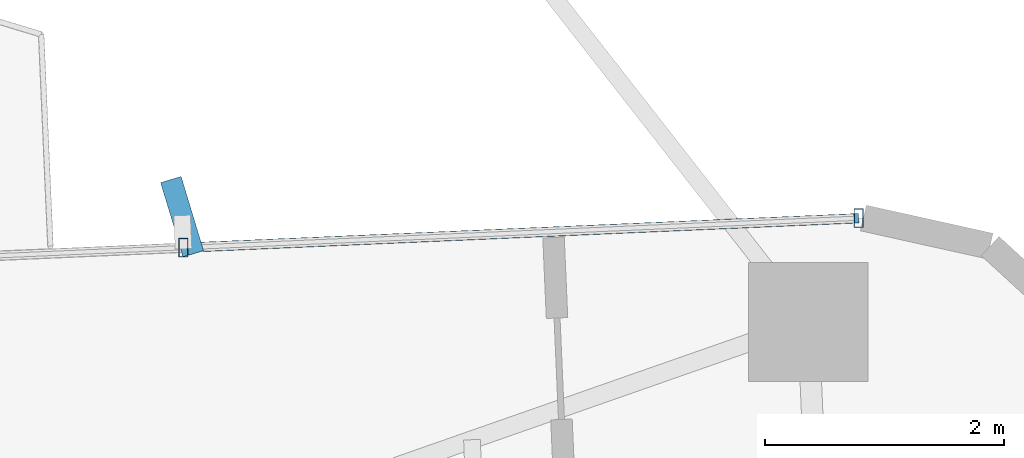
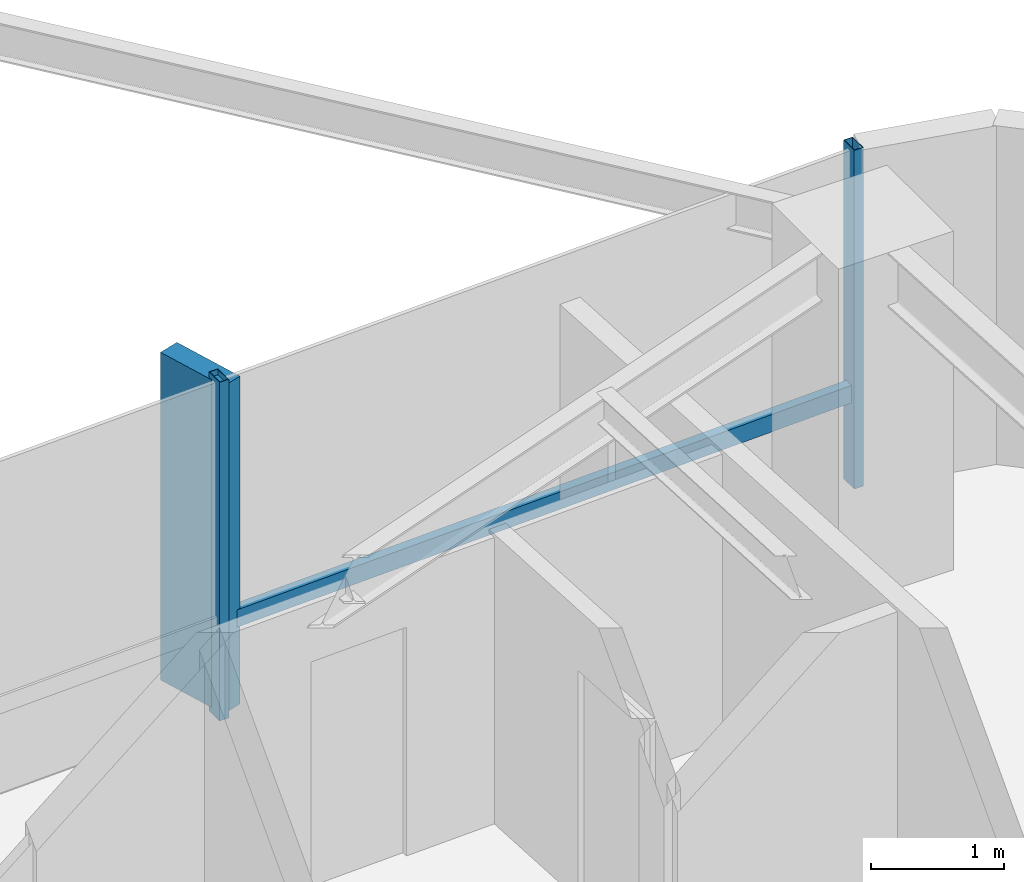
# One storey, part 20 of 26: 4 members, 1 element without a shape of its own.
"""IFC4 building model written with IfcOpenShell, lengths in metres."""

from ifc_helpers import new_model, si_unit, direction, frame, origin, origin_2d, place, context, subcontext, project, spatial, rectangle, hollow_rectangle, extrude, source, transform, mapped, material, material_profile, profile_set, type_object, element, aggregate, save


model = new_model("IFC4")

# Units and contexts
model_context = context("Model", 3, precision=1e-05, world=origin(), true_north=direction((0.0, 1.0)))
body_context = subcontext(model_context, "Body", "Model", "MODEL_VIEW")
ifc_project = project(units=[si_unit("LENGTHUNIT", "METRE"), si_unit("AREAUNIT", "SQUARE_METRE"), si_unit("VOLUMEUNIT", "CUBIC_METRE"), si_unit("PLANEANGLEUNIT", "RADIAN"), si_unit("MASSUNIT", "GRAM", prefix="KILO")], contexts=[model_context])

# Site, building, storey
site_placement = place(None, origin())
site = spatial("IfcSite", under=ifc_project, at=site_placement, CompositionType="ELEMENT")
building_placement = place(site_placement, origin())
building = spatial("IfcBuilding", under=site, at=building_placement, Name="Sahyath Konkavel Grand Hotel", CompositionType="ELEMENT")
storey_placement = place(building_placement, frame((0.0, 0.0, 118.14990234375)))
storey = spatial("IfcBuildingStorey", under=building, at=storey_placement, Name="L32", CompositionType="ELEMENT", Elevation=118.14990234375)

# Curtain wall, members
ifc_material_1 = material(Name="Anodised Bronze Aluminium & Low-E Glazing", Category="aluminium")
curtain_wall_type = type_object("IfcCurtainWallType", Name="CW-ZONE2", PredefinedType="NOTDEFINED", material=ifc_material_1)
curtain_wall_placement = place(storey_placement, origin())
curtain_wall = element("IfcCurtainWall", 1, at=curtain_wall_placement, inside=storey, type_object=curtain_wall_type, Name="L32 Unitised Curtain Wall F7", PredefinedType="NOTDEFINED")
ifc_material_2 = material(Name="Warm Buff Sandstone Cladding on Concrete C50/60", Category="masonry")
ifc_material_profile_1 = material_profile(ifc_material_2, rectangle(XDim=0.179931640625, YDim=0.64990234375, at=origin_2d()), Name="FIN 180x650")
ifc_profile_set_1 = profile_set([ifc_material_profile_1], Name="Warm Buff Sandstone Cladding on Concrete C50/60")
member_type_1 = type_object("IfcMemberType", Name="FIN-SANDSTONE-650", PredefinedType="MULLION", material=ifc_profile_set_1)
shared_shape_1 = source(origin(), body_context, "Body", "SweptSolid", [
    extrude(rectangle(XDim=0.179931640625, YDim=0.64990234375, at=origin_2d()), origin(), (0.0, 0.0, 1.0), 3.010009765625),
])
member_1_placement = place(storey_placement, frame((11.989013671875, 7.39013671875, 0.050048828125), z_axis=(0.0, 0.0, 1.0), x_axis=(0.957117481996, 0.289700061544, 0.0)))
member_1 = element("IfcMember", 2, at=member_1_placement, type_object=member_type_1, Name="L32 Sandstone Vertical Solar Fin FIN F7-1", PredefinedType="MULLION", context=body_context, shape_type="MappedRepresentation", body=[
    mapped(shared_shape_1, transform((0.0, 0.0, 0.0), scale=1.0)),
])
ifc_material_3 = material(Name="Anodised Bronze Aluminium", Category="aluminium")
ifc_material_profile_2 = material_profile(ifc_material_3, hollow_rectangle(XDim=0.080078125, YDim=0.159912109375, WallThickness=0.006103515625, at=origin_2d()), Name="RHS 160x80x6")
ifc_profile_set_2 = profile_set([ifc_material_profile_2], Name="Anodised Bronze Aluminium")
member_type_2 = type_object("IfcMemberType", Name="CW-MUL-160", PredefinedType="MULLION", material=ifc_profile_set_2)
shared_shape_2 = source(origin(), body_context, "Body", "SweptSolid", [
    extrude(hollow_rectangle(XDim=0.080078125, YDim=0.159912109375, WallThickness=0.006103515625, at=origin_2d()), origin(), (0.0, 0.0, 1.0), 3.110107421875),
])
member_2_placement = place(storey_placement, frame((17.655029296875, 7.377197265625, 0.0), z_axis=(0.0, 0.0, 1.0), x_axis=(1.0, 0.0, 0.0)))
member_2 = element("IfcMember", 3, at=member_2_placement, type_object=member_type_2, Name="L32 Curtain Wall Mullion F7-0", PredefinedType="MULLION", context=body_context, shape_type="MappedRepresentation", body=[
    mapped(shared_shape_2, transform((0.0, 0.0, 0.0), scale=1.0)),
])
member_3_placement = place(storey_placement, frame((12.00048828125, 7.13037109375, 0.0), z_axis=(0.0, 0.0, 1.0), x_axis=(1.0, 0.0, 0.0)))
member_3 = element("IfcMember", 4, at=member_3_placement, type_object=member_type_2, Name="L32 Curtain Wall Mullion F7-1", PredefinedType="MULLION", context=body_context, shape_type="MappedRepresentation", body=[
    mapped(shared_shape_2, transform((0.0, 0.0, 0.0), scale=1.0)),
])
ifc_material_profile_3 = material_profile(ifc_material_3, hollow_rectangle(XDim=0.080078125, YDim=0.159912109375, WallThickness=0.006103515625, at=origin_2d()), Name="RHS 160x80x6")
ifc_profile_set_3 = profile_set([ifc_material_profile_3], Name="Anodised Bronze Aluminium")
member_type_3 = type_object("IfcMemberType", Name="CW-TRN-160", PredefinedType="USERDEFINED", material=ifc_profile_set_3)
shared_shape_3 = source(origin(), body_context, "Body", "SweptSolid", [
    extrude(hollow_rectangle(XDim=0.080078125, YDim=0.159912109375, WallThickness=0.006103515625, at=origin_2d()), origin(), (0.0, 0.0, 1.0), 5.659912109375),
])
member_4_placement = place(storey_placement, frame((17.655029296875, 7.377197265625, 0.85009765625), z_axis=(-0.999048655935, -0.043609437898, 0.0), x_axis=(0.043609437898, -0.999048655935, 0.0)))
member_4 = element("IfcMember", 5, at=member_4_placement, type_object=member_type_3, Name="L32 Curtain Wall Transom F7-0-spandrel", ObjectType="TRANSOM", PredefinedType="USERDEFINED", context=body_context, shape_type="MappedRepresentation", body=[
    mapped(shared_shape_3, transform((0.0, 0.0, 0.0), scale=1.0)),
])
aggregate(curtain_wall, [member_2, member_3, member_1, member_4])

save(model, "model.ifc")
